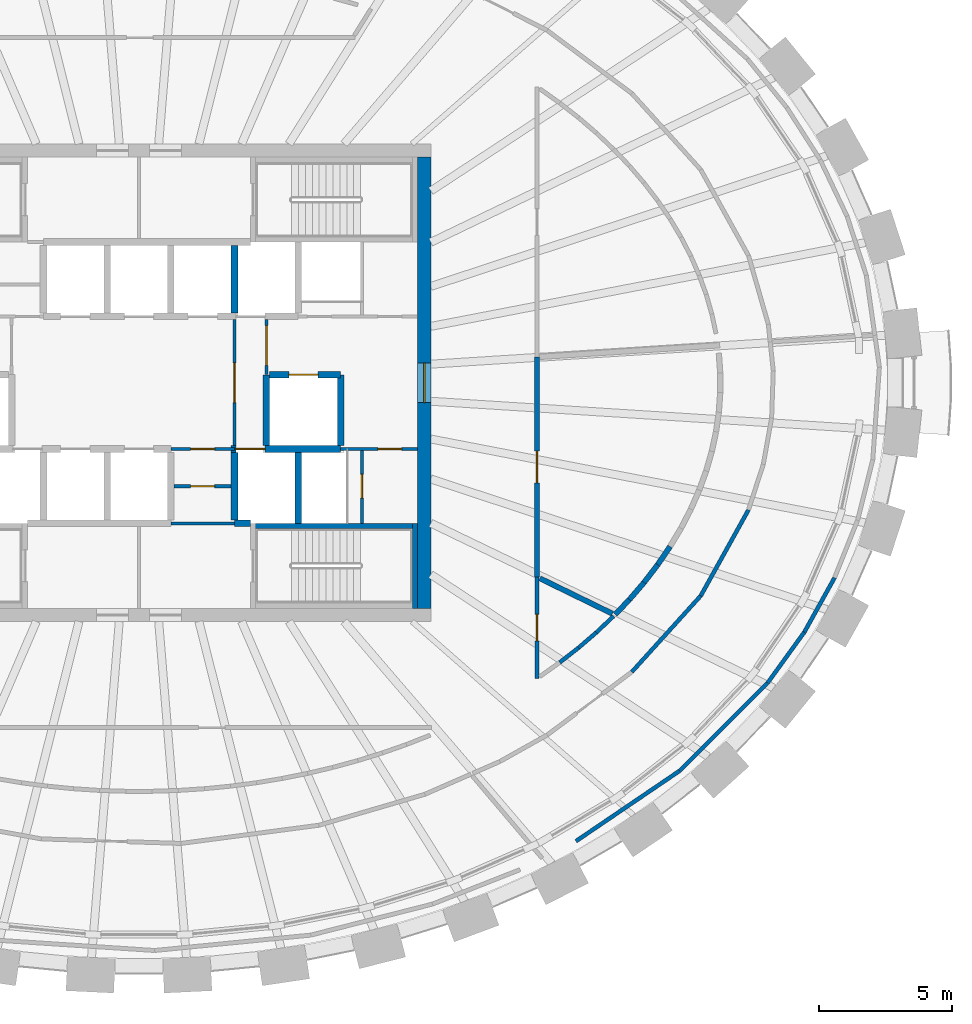
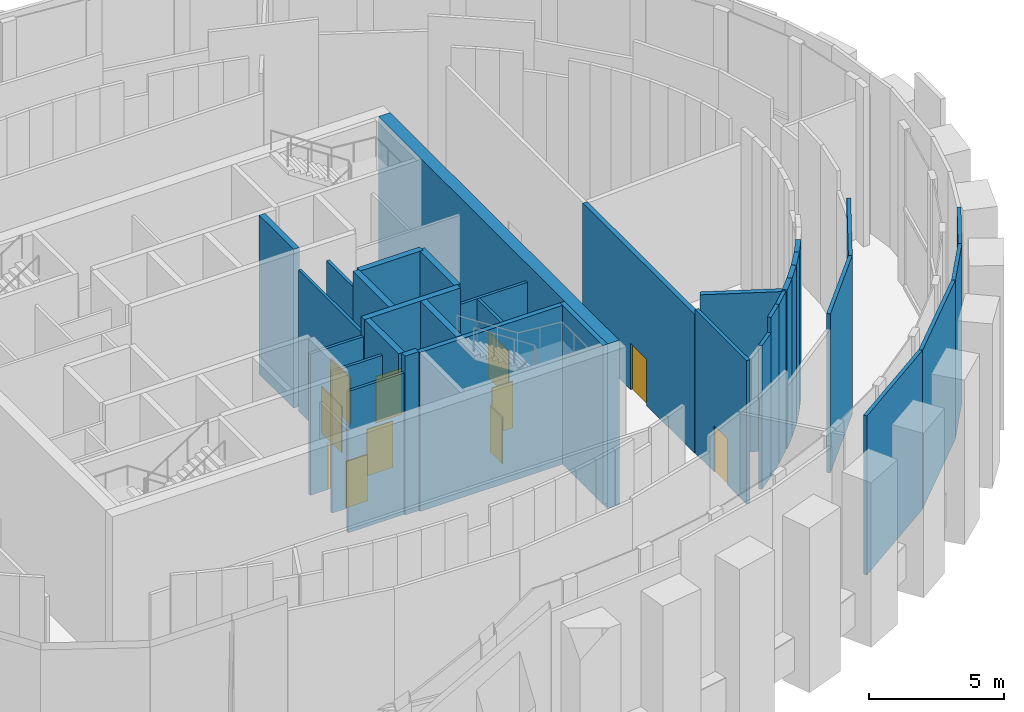
# One storey, part 11 of 16: 34 walls, 11 doors, 11 openings.
"""IFC4 building model written with IfcOpenShell, lengths in metres."""

import ifcopenshell
import ifcopenshell.guid

model = None  # the IFC model being written
_history = None  # IfcOwnerHistory: only IFC2X3 demands one
_inside = {}  # id of a spatial element -> (the spatial element, [elements in it])
_under = {}  # id of a project, library or spatial element -> (it, [spatial elements below it])
_declared = {}  # id of a project -> (the project, [libraries it declares])
_typed = {}  # id of a type object -> (the type object, [elements of that type])
_made_of = {}  # id of a material, layer set ... -> (it, [elements and type objects made of it])


def new_model(schema):
    """Start an empty IFC model of exactly this schema.

    Asked for "IFC4X3", IfcOpenShell would pick the latest addendum, in which some entities
    have other attributes; the version numbers below select the first issue.
    IFC2X3 requires an IfcOwnerHistory on every rooted entity: one is made here for all.
    """
    global model, _history
    if schema == "IFC4X3":
        model = ifcopenshell.file(schema_version=(4, 3, 0, 0))
    else:
        model = ifcopenshell.file(schema=schema)
    _inside.clear()
    _under.clear()
    _declared.clear()
    _typed.clear()
    _made_of.clear()
    _history = None
    if model.schema == "IFC2X3":
        org = make("IfcOrganization", Name="unknown")
        user = make(
            "IfcPersonAndOrganization",
            ThePerson=make("IfcPerson", FamilyName="unknown"),
            TheOrganization=org,
        )
        app = make(
            "IfcApplication",
            ApplicationDeveloper=org,
            Version="unknown",
            ApplicationFullName="unknown",
            ApplicationIdentifier="unknown",
        )
        _history = make(
            "IfcOwnerHistory",
            OwningUser=user,
            OwningApplication=app,
            ChangeAction="ADDED",
            CreationDate=0,
        )
    return model


def make(cls, **values):
    """One entity of the class cls with the attributes given. An attribute that is None is left unset."""
    return model.create_entity(
        cls, **{name: value for name, value in values.items() if value is not None}
    )


def rooted(cls, **values):
    """An entity with a GlobalId (a new one), such as an element, a storey or a relation."""
    return make(cls, GlobalId=ifcopenshell.guid.new(), OwnerHistory=_history, **values)


def si_unit(unit_type, name, prefix=None):
    """IfcSIUnit, for example si_unit("LENGTHUNIT", "METRE", prefix="MILLI")."""
    return make("IfcSIUnit", UnitType=unit_type, Prefix=prefix, Name=name)


def assignment(units):
    """IfcUnitAssignment: the units of a project."""
    return None if units is None else make("IfcUnitAssignment", Units=units)


def point(xyz):
    """IfcCartesianPoint."""
    return None if xyz is None else make("IfcCartesianPoint", Coordinates=xyz)


def direction(xyz):
    """IfcDirection."""
    return None if xyz is None else make("IfcDirection", DirectionRatios=xyz)


def frame(location, z_axis=None, x_axis=None):
    """IfcAxis2Placement3D, a coordinate frame: its origin and axes. An axis left out is left unset."""
    return make(
        "IfcAxis2Placement3D",
        Location=point(location),
        Axis=direction(z_axis),
        RefDirection=direction(x_axis),
    )


def frame_2d(location, x_axis=None):
    """IfcAxis2Placement2D, a coordinate frame in the plane: its origin and x axis."""
    return make(
        "IfcAxis2Placement2D", Location=point(location), RefDirection=direction(x_axis)
    )


def origin():
    """The frame at (0, 0, 0) with its axes left unset."""
    return frame((0.0, 0.0, 0.0))


def place(relative_to, where):
    """IfcLocalPlacement: puts the frame where relative to a parent placement (None: the world)."""
    return make(
        "IfcLocalPlacement", PlacementRelTo=relative_to, RelativePlacement=where
    )


def context(
    kind, dimensions, precision=None, world=None, true_north=None, identifier=None
):
    """IfcGeometricRepresentationContext, for example the 3D "Model" context."""
    return make(
        "IfcGeometricRepresentationContext",
        ContextIdentifier=identifier,
        ContextType=kind,
        CoordinateSpaceDimension=dimensions,
        Precision=precision,
        WorldCoordinateSystem=world,
        TrueNorth=true_north,
    )


def subcontext(parent, identifier, kind, view, scale=None):
    """IfcGeometricRepresentationSubContext, for example "Body" below "Model"."""
    return make(
        "IfcGeometricRepresentationSubContext",
        ContextIdentifier=identifier,
        ContextType=kind,
        ParentContext=parent,
        TargetScale=scale,
        TargetView=view,
    )


def project(units=None, contexts=None):
    """IfcProject with its units and contexts."""
    return rooted(
        "IfcProject",
        Name="project",
        RepresentationContexts=contexts,
        UnitsInContext=assignment(units),
    )


def spatial(cls, under=None, at=None, **own):
    """A site, building, storey or space (cls), placed at a placement, below another one or the project."""
    s = rooted(cls, ObjectPlacement=at, **own)
    if under is not None:
        _under.setdefault(under.id(), (under, []))[1].append(s)
    return s


def profile(cls, at=None, kind="AREA", **sizes):
    """A parametric profile (cls). Its sizes go by their IFC names, for example OverallWidth=200.0."""
    return make(cls, ProfileType=kind, Position=at, **sizes)


def rectangle(**sizes):
    """IfcRectangleProfileDef."""
    return profile("IfcRectangleProfileDef", **sizes)


def extrude(swept, where, along, depth):
    """IfcExtrudedAreaSolid: the profile swept, set in the frame where, extruded along a direction by depth."""
    return make(
        "IfcExtrudedAreaSolid",
        SweptArea=swept,
        Position=where,
        ExtrudedDirection=direction(along),
        Depth=depth,
    )


def shape(context_of_items, identifier, shape_type, items):
    """IfcShapeRepresentation: the items that make up one representation, for example the "Body"."""
    return make(
        "IfcShapeRepresentation",
        ContextOfItems=context_of_items,
        RepresentationIdentifier=identifier,
        RepresentationType=shape_type,
        Items=items,
    )


def source(mapping_origin, context_of_items, identifier, shape_type, items):
    """IfcRepresentationMap: a shape defined once, which mapped items show again and again."""
    return make(
        "IfcRepresentationMap",
        MappingOrigin=mapping_origin,
        MappedRepresentation=shape(context_of_items, identifier, shape_type, items),
    )


def transform(
    local_origin,
    x_axis=None,
    y_axis=None,
    z_axis=None,
    scale=None,
    scale2=None,
    scale3=None,
    uniform=True,
):
    """IfcCartesianTransformationOperator3D, or its non-uniform kind. x_axis, y_axis, z_axis: its Axis1, 2, 3."""
    if uniform:
        return make(
            "IfcCartesianTransformationOperator3D",
            Axis1=direction(x_axis),
            Axis2=direction(y_axis),
            LocalOrigin=point(local_origin),
            Scale=scale,
            Axis3=direction(z_axis),
        )
    return make(
        "IfcCartesianTransformationOperator3DnonUniform",
        Axis1=direction(x_axis),
        Axis2=direction(y_axis),
        LocalOrigin=point(local_origin),
        Scale=scale,
        Axis3=direction(z_axis),
        Scale2=scale2,
        Scale3=scale3,
    )


def mapped(mapping_source, mapping_target):
    """IfcMappedItem: shows the shape of a source again, moved by a transform."""
    return make(
        "IfcMappedItem", MappingSource=mapping_source, MappingTarget=mapping_target
    )


def material(Name=None, Category=None):
    """IfcMaterial."""
    return make("IfcMaterial", Name=Name, Category=Category)


def layer(
    of_material, thickness, ventilated=None, Name=None, Category=None, Priority=None
):
    """IfcMaterialLayer: one layer of a wall or slab, of a material (None: an air gap)."""
    return make(
        "IfcMaterialLayer",
        Material=of_material,
        LayerThickness=thickness,
        IsVentilated=ventilated,
        Name=Name,
        Category=Category,
        Priority=Priority,
    )


def layer_set(layers, Name=None):
    """IfcMaterialLayerSet."""
    return make("IfcMaterialLayerSet", MaterialLayers=layers, LayerSetName=Name)


def made_of(thing, what):
    """Note that an element or type object is made of a material, layer set ...; save() writes the relation."""
    if what is not None:
        _made_of.setdefault(what.id(), (what, []))[1].append(thing)
    return thing


def type_object(cls, material=None, **own):
    """A type object (cls), such as IfcWallType, which elements share."""
    return made_of(rooted(cls, **own), material)


def element(
    cls,
    number,
    at=None,
    inside=None,
    cuts=None,
    type_object=None,
    material=None,
    context=None,
    identifier="Body",
    shape_type=None,
    held_by="IfcProductDefinitionShape",
    body=None,
    shapes=None,
    **own,
):
    """One element of the class cls, such as IfcWall. Its Tag is "e" and its number.

    at: its placement. inside: the storey or other place that contains it. cuts: it is an
    opening in that element (IfcRelVoidsElement). A single representation is given by context,
    identifier, shape_type and body (its items); several are given by shapes. held_by: the class
    of the entity that holds the representations. save() writes the other relations.
    """
    e = rooted(cls, Tag="e%d" % number, ObjectPlacement=at, **own)
    if body is not None:
        shapes = [shape(context, identifier, shape_type, body)]
    if shapes is not None:
        e.Representation = make(held_by, Representations=shapes)
    if inside is not None:
        _inside.setdefault(inside.id(), (inside, []))[1].append(e)
    if cuts is not None:
        rooted(
            "IfcRelVoidsElement", RelatingBuildingElement=cuts, RelatedOpeningElement=e
        )
    if type_object is not None:
        _typed.setdefault(type_object.id(), (type_object, []))[1].append(e)
    return made_of(e, material)


def fill(opening, filler):
    """IfcRelFillsElement: the door or window that sits in an opening."""
    return rooted(
        "IfcRelFillsElement",
        RelatingOpeningElement=opening,
        RelatedBuildingElement=filler,
    )


def aggregate(whole, parts):
    """IfcRelAggregates: a whole, such as a stair, and the parts it consists of."""
    return rooted("IfcRelAggregates", RelatingObject=whole, RelatedObjects=parts)


def save(model, path):
    """Write the relations noted so far, then the file.

    IfcRelAggregates (storeys below a building ...), IfcRelContainedInSpatialStructure (elements
    in a storey), IfcRelDefinesByType, IfcRelAssociatesMaterial and IfcRelDeclares: one each for
    every whole, place, type object, material and project.
    """
    for whole, parts in _under.values():
        aggregate(whole, parts)
    for where, things in _inside.values():
        rooted(
            "IfcRelContainedInSpatialStructure",
            RelatedElements=things,
            RelatingStructure=where,
        )
    for kind, things in _typed.values():
        rooted("IfcRelDefinesByType", RelatedObjects=things, RelatingType=kind)
    for what, things in _made_of.values():
        rooted("IfcRelAssociatesMaterial", RelatedObjects=things, RelatingMaterial=what)
    for by, libraries in _declared.values():
        rooted("IfcRelDeclares", RelatingContext=by, RelatedDefinitions=libraries)
    model.write(path)


model = new_model("IFC4")

# Units and contexts
model_context = context("Model", 3, precision=1e-05, world=origin(), true_north=direction((0.0, 1.0)))
body_context = subcontext(model_context, "Body", "Model", "MODEL_VIEW")
ifc_project = project(units=[si_unit("LENGTHUNIT", "METRE"), si_unit("AREAUNIT", "SQUARE_METRE"), si_unit("VOLUMEUNIT", "CUBIC_METRE"), si_unit("PLANEANGLEUNIT", "RADIAN"), si_unit("MASSUNIT", "GRAM", prefix="KILO")], contexts=[model_context])

# Site, building, storey
site_placement = place(None, origin())
site = spatial("IfcSite", under=ifc_project, at=site_placement, CompositionType="ELEMENT")
building_placement = place(site_placement, origin())
building = spatial("IfcBuilding", under=site, at=building_placement, Name="Embergate Tower", CompositionType="ELEMENT")
storey_placement = place(building_placement, frame((0.0, 0.0, 332.5)))
storey = spatial("IfcBuildingStorey", under=building, at=storey_placement, Name="L78", CompositionType="ELEMENT", Elevation=332.5)

# Wall, opening, door
ifc_material_1 = material(Name="Concrete C50", Category="concrete")
ifc_layer_1 = layer(ifc_material_1, 0.5)
ifc_layer_set_1 = layer_set([ifc_layer_1], Name="Concrete C50")
wall_type_1 = type_object("IfcWallType", Name="Core outer wall C50 500", PredefinedType="SHEAR", material=ifc_layer_set_1)
shared_shape_1 = source(origin(), body_context, "Body", "SweptSolid", [
    extrude(rectangle(XDim=17.0, YDim=0.5, at=frame_2d((8.5, 0.0))), origin(), (0.0, 0.0, 1.0), 7.449951171875),
])
wall_1_placement = place(storey_placement, frame((10.75, -8.5, -0.25), z_axis=(0.0, 0.0, 1.0), x_axis=(0.0, 1.0, 0.0)))
wall_1 = element("IfcWall", 1, at=wall_1_placement, inside=storey, type_object=wall_type_1, Name="CW-L78-E", PredefinedType="SHEAR", context=body_context, shape_type="MappedRepresentation", body=[
    mapped(shared_shape_1, transform((0.0, 0.0, 0.0))),
])
shared_shape_2 = source(origin(), body_context, "Body", "SweptSolid", [
    extrude(rectangle(XDim=1.5, YDim=2.10009765625, at=frame_2d((0.75, 1.050048828125))), frame((0.0, 0.260009765625, 0.0), z_axis=(0.0, -1.0, 0.0), x_axis=(1.0, 0.0, 0.0)), (0.0, 0.0, 1.0), 0.52001953125),
])
opening_1_placement = place(wall_1_placement, frame((7.75, 0.0, 0.25)))
opening_1 = element("IfcOpeningElement", 2, at=opening_1_placement, cuts=wall_1, Name="Opening IF-3", PredefinedType="OPENING", context=body_context, shape_type="MappedRepresentation", body=[
    mapped(shared_shape_2, transform((0.0, 0.0, 0.0))),
])
ifc_material_2 = material(Name="Lobby fire door pair 1500")
door_type_1 = type_object("IfcDoorType", Name="Lobby fire door pair 1500", OperationType="DOUBLE_DOOR_SINGLE_SWING", PredefinedType="DOOR", material=ifc_material_2)
shared_shape_3 = source(origin(), body_context, "Body", "SweptSolid", [
    extrude(rectangle(XDim=1.5, YDim=2.10009765625, at=frame_2d((0.75, 1.050048828125))), frame((0.0, 0.02490234375, 0.0), z_axis=(0.0, -1.0, 0.0), x_axis=(1.0, 0.0, 0.0)), (0.0, 0.0, 1.0), 0.050048828125),
])
door_1_placement = place(opening_1_placement, origin())
door_1 = element("IfcDoor", 3, at=door_1_placement, inside=storey, type_object=door_type_1, Name="IF-3 door", OperationType="DOUBLE_DOOR_SINGLE_SWING", OverallHeight=2.10009765625, OverallWidth=1.5, PredefinedType="DOOR", context=body_context, shape_type="MappedRepresentation", body=[
    mapped(shared_shape_3, transform((0.0, 0.0, 0.0))),
])
fill(opening_1, door_1)

ifc_material_3 = material(Name="Core partition blockwork 120")
ifc_layer_2 = layer(ifc_material_3, 0.1201171875)
ifc_layer_set_2 = layer_set([ifc_layer_2], Name="Core partition blockwork 120")
wall_type_2 = type_object("IfcWallType", Name="Core partition blockwork 120", PredefinedType="PARTITIONING", material=ifc_layer_set_2)
shared_shape_4 = source(origin(), body_context, "Body", "SweptSolid", [
    extrude(rectangle(XDim=2.739990234375, YDim=0.1201171875, at=frame_2d((1.3701171875, 0.0))), origin(), (0.0, 0.0, 1.0), 6.39990234375),
])
wall_2_placement = place(storey_placement, frame((8.39990234375, -5.300048828125, 0.0), z_axis=(0.0, 0.0, 1.0), x_axis=(0.0, 1.0, 0.0)))
wall_2 = element("IfcWall", 4, at=wall_2_placement, inside=storey, type_object=wall_type_2, Name="IP-3 wall", PredefinedType="PARTITIONING", context=body_context, shape_type="MappedRepresentation", body=[
    mapped(shared_shape_4, transform((0.0, 0.0, 0.0))),
])
shared_shape_5 = source(origin(), body_context, "Body", "SweptSolid", [
    extrude(rectangle(XDim=0.89990234375, YDim=2.10009765625, at=frame_2d((0.449951171875, 1.050048828125))), frame((0.0, 0.070068359375, 0.0), z_axis=(0.0, -1.0, 0.0), x_axis=(1.0, 0.0, 0.0)), (0.0, 0.0, 1.0), 0.14013671875),
])
opening_2_placement = place(wall_2_placement, frame((0.949951171875, 0.0, 0.0)))
opening_2 = element("IfcOpeningElement", 5, at=opening_2_placement, cuts=wall_2, Name="Opening ID-1", PredefinedType="OPENING", context=body_context, shape_type="MappedRepresentation", body=[
    mapped(shared_shape_5, transform((0.0, 0.0, 0.0))),
])
ifc_material_4 = material(Name="Interior door 900")
door_type_2 = type_object("IfcDoorType", Name="Interior door 900", OperationType="SINGLE_SWING_LEFT", PredefinedType="DOOR", material=ifc_material_4)
shared_shape_6 = source(origin(), body_context, "Body", "SweptSolid", [
    extrude(rectangle(XDim=0.89990234375, YDim=2.10009765625, at=frame_2d((0.449951171875, 1.050048828125))), frame((0.0, 0.02490234375, 0.0), z_axis=(0.0, -1.0, 0.0), x_axis=(1.0, 0.0, 0.0)), (0.0, 0.0, 1.0), 0.050048828125),
])
door_2_placement = place(opening_2_placement, origin())
door_2 = element("IfcDoor", 6, at=door_2_placement, inside=storey, type_object=door_type_2, Name="ID-1 door", OperationType="SINGLE_SWING_LEFT", OverallHeight=2.10009765625, OverallWidth=0.89990234375, PredefinedType="DOOR", context=body_context, shape_type="MappedRepresentation", body=[
    mapped(shared_shape_6, transform((0.0, 0.0, 0.0))),
])
fill(opening_2, door_2)

# Walls
ifc_layer_3 = layer(ifc_material_1, 0.25)
ifc_layer_set_3 = layer_set([ifc_layer_3], Name="Concrete C50")
wall_type_3 = type_object("IfcWallType", Name="Hoistway wall reinforced concrete 250", PredefinedType="SHEAR", material=ifc_layer_set_3)
shared_shape_7 = source(origin(), body_context, "Body", "SweptSolid", [
    extrude(rectangle(XDim=2.550048828125, YDim=0.25, at=frame_2d((1.27490234375, 0.0))), origin(), (0.0, 0.0, 1.0), 7.199951171875),
])
for number, where, z_axis, x_axis, name in (
    (7, (3.60009765625, 2.625, 0.0), (0.0, 0.0, 1.0), (0.0, 1.0, 0.0), "HW-1 wall"),
    (8, (3.60009765625, -2.625, 0.0), (0.0, 0.0, 1.0), (0.0, -1.0, 0.0), "HW-1 wall"),
):
    element("IfcWall", number, at=place(storey_placement, frame(where, z_axis=z_axis, x_axis=x_axis)), inside=storey, type_object=wall_type_3, Name=name, PredefinedType="SHEAR", context=body_context, shape_type="MappedRepresentation", body=[
        mapped(shared_shape_7, transform((0.0, 0.0, 0.0))),
    ])
shared_shape_8 = source(origin(), body_context, "Body", "SweptSolid", [
    extrude(rectangle(XDim=2.675048828125, YDim=0.25, at=frame_2d((1.33740234375, 0.0))), origin(), (0.0, 0.0, 1.0), 7.199951171875),
])
for number, where, z_axis, x_axis, name in (
    (9, (6.0, -5.300048828125, 0.0), (0.0, 0.0, 1.0), (0.0, 1.0, 0.0), "HW-1 wall"),
    (10, (4.800048828125, -2.375, 0.0), (0.0, 0.0, 1.0), (0.0, 1.0, 0.0), "HW-1 wall"),
):
    element("IfcWall", number, at=place(storey_placement, frame(where, z_axis=z_axis, x_axis=x_axis)), inside=storey, type_object=wall_type_3, Name=name, PredefinedType="SHEAR", context=body_context, shape_type="MappedRepresentation", body=[
        mapped(shared_shape_8, transform((0.0, 0.0, 0.0))),
    ])

# Wall, opening, door
wall_3_placement = place(storey_placement, frame((7.60009765625, 0.300048828125, 0.0), z_axis=(0.0, 0.0, 1.0), x_axis=(-1.0, 0.0, 0.0)))
wall_3 = element("IfcWall", 11, at=wall_3_placement, inside=storey, type_object=wall_type_3, Name="HW-1 wall", PredefinedType="SHEAR", context=body_context, shape_type="MappedRepresentation", body=[
    mapped(shared_shape_8, transform((0.0, 0.0, 0.0))),
])
shared_shape_9 = source(origin(), body_context, "Body", "SweptSolid", [
    extrude(rectangle(XDim=1.10009765625, YDim=2.10009765625, at=frame_2d((0.550048828125, 1.050048828125))), frame((0.0, 0.135009765625, 0.0), z_axis=(0.0, -1.0, 0.0), x_axis=(1.0, 0.0, 0.0)), (0.0, 0.0, 1.0), 0.27001953125),
])
opening_3_placement = place(wall_3_placement, frame((0.85009765625, 0.0, 0.0)))
opening_3 = element("IfcOpeningElement", 12, at=opening_3_placement, cuts=wall_3, Name="Opening LD", PredefinedType="OPENING", context=body_context, shape_type="MappedRepresentation", body=[
    mapped(shared_shape_9, transform((0.0, 0.0, 0.0))),
])
ifc_material_5 = material(Name="Landing door sliding 1100")
door_type_3 = type_object("IfcDoorType", Name="Landing door sliding 1100", OperationType="SLIDING_TO_LEFT", PredefinedType="DOOR", material=ifc_material_5)
shared_shape_10 = source(origin(), body_context, "Body", "SweptSolid", [
    extrude(rectangle(XDim=1.10009765625, YDim=2.10009765625, at=frame_2d((0.550048828125, 1.050048828125))), frame((0.0, 0.02490234375, 0.0), z_axis=(0.0, -1.0, 0.0), x_axis=(1.0, 0.0, 0.0)), (0.0, 0.0, 1.0), 0.050048828125),
])
door_3_placement = place(opening_3_placement, origin())
door_3 = element("IfcDoor", 13, at=door_3_placement, inside=storey, type_object=door_type_3, Name="LD door", OperationType="SLIDING_TO_RIGHT", OverallHeight=2.10009765625, OverallWidth=1.10009765625, PredefinedType="DOOR", context=body_context, shape_type="MappedRepresentation", body=[
    mapped(shared_shape_10, transform((0.0, 0.0, 0.0))),
])
fill(opening_3, door_3)

# Walls
wall_4_placement = place(storey_placement, frame((7.60009765625, -2.375, 0.0), z_axis=(0.0, 0.0, 1.0), x_axis=(0.0, 1.0, 0.0)))
element("IfcWall", 14, at=wall_4_placement, inside=storey, type_object=wall_type_3, Name="HW-1 wall", PredefinedType="SHEAR", context=body_context, shape_type="MappedRepresentation", body=[
    mapped(shared_shape_8, transform((0.0, 0.0, 0.0))),
])
ifc_layer_4 = layer(ifc_material_1, 0.199951171875)
ifc_layer_set_4 = layer_set([ifc_layer_4], Name="Concrete C50")
wall_type_4 = type_object("IfcWallType", Name="Stair enclosure wall reinforced concrete 250", PredefinedType="SHEAR", material=ifc_layer_set_4)
shared_shape_11 = source(origin(), body_context, "Body", "SweptSolid", [
    extrude(rectangle(XDim=6.300048828125, YDim=0.199951171875, at=frame_2d((3.14990234375, 0.0))), origin(), (0.0, 0.0, 1.0), 7.199951171875),
])
wall_5_placement = place(storey_placement, frame((4.199951171875, -5.39990234375, 0.0), z_axis=(0.0, 0.0, 1.0), x_axis=(1.0, 0.0, 0.0)))
element("IfcWall", 15, at=wall_5_placement, inside=storey, type_object=wall_type_4, Name="SE-1 wall", PredefinedType="SHEAR", context=body_context, shape_type="MappedRepresentation", body=[
    mapped(shared_shape_11, transform((0.0, 0.0, 0.0))),
])

# Wall, opening, door
shared_shape_12 = source(origin(), body_context, "Body", "SweptSolid", [
    extrude(rectangle(XDim=2.89990234375, YDim=0.1201171875, at=frame_2d((1.449951171875, 0.0))), origin(), (0.0, 0.0, 1.0), 6.39990234375),
])
wall_6_placement = place(storey_placement, frame((10.5, -2.5, 0.0), z_axis=(0.0, 0.0, 1.0), x_axis=(-1.0, 0.0, 0.0)))
wall_6 = element("IfcWall", 16, at=wall_6_placement, inside=storey, type_object=wall_type_2, Name="IP-3 wall", PredefinedType="PARTITIONING", context=body_context, shape_type="MappedRepresentation", body=[
    mapped(shared_shape_12, transform((0.0, 0.0, 0.0))),
])
opening_4_placement = place(wall_6_placement, frame((0.60009765625, 0.0, 0.0)))
opening_4 = element("IfcOpeningElement", 17, at=opening_4_placement, cuts=wall_6, Name="Opening ID-1", PredefinedType="OPENING", context=body_context, shape_type="MappedRepresentation", body=[
    mapped(shared_shape_5, transform((0.0, 0.0, 0.0))),
])
door_4_placement = place(opening_4_placement, origin())
door_4 = element("IfcDoor", 18, at=door_4_placement, inside=storey, type_object=door_type_2, Name="ID-1 door", OperationType="SINGLE_SWING_RIGHT", OverallHeight=2.10009765625, OverallWidth=0.89990234375, PredefinedType="DOOR", context=body_context, shape_type="MappedRepresentation", body=[
    mapped(shared_shape_6, transform((0.0, 0.0, 0.0))),
])
fill(opening_4, door_4)

shared_shape_13 = source(origin(), body_context, "Body", "SweptSolid", [
    extrude(rectangle(XDim=4.125, YDim=0.25, at=frame_2d((2.0625, 0.0))), origin(), (0.0, 0.0, 1.0), 7.199951171875),
])
wall_7_placement = place(storey_placement, frame((7.60009765625, -2.5, 0.0), z_axis=(0.0, 0.0, 1.0), x_axis=(-1.0, 0.0, 0.0)))
wall_7 = element("IfcWall", 19, at=wall_7_placement, inside=storey, type_object=wall_type_3, Name="HW-1 wall", PredefinedType="SHEAR", context=body_context, shape_type="MappedRepresentation", body=[
    mapped(shared_shape_13, transform((0.0, 0.0, 0.0))),
])
opening_5_placement = place(wall_7_placement, frame((2.85009765625, 0.0, 0.0)))
opening_5 = element("IfcOpeningElement", 20, at=opening_5_placement, cuts=wall_7, Name="Opening LD", PredefinedType="OPENING", context=body_context, shape_type="MappedRepresentation", body=[
    mapped(shared_shape_9, transform((0.0, 0.0, 0.0))),
])
door_5_placement = place(opening_5_placement, origin())
door_5 = element("IfcDoor", 21, at=door_5_placement, inside=storey, type_object=door_type_3, Name="LD door", OperationType="SLIDING_TO_RIGHT", OverallHeight=2.10009765625, OverallWidth=1.10009765625, PredefinedType="DOOR", context=body_context, shape_type="MappedRepresentation", body=[
    mapped(shared_shape_10, transform((0.0, 0.0, 0.0))),
])
fill(opening_5, door_5)

# Wall
shared_shape_14 = source(origin(), body_context, "Body", "SweptSolid", [
    extrude(rectangle(XDim=0.599853515625, YDim=0.25, at=frame_2d((0.2998046875, 0.0))), origin(), (0.0, 0.0, 1.0), 7.199951171875),
])
wall_8_placement = place(storey_placement, frame((3.60009765625, -5.300048828125, 0.0), z_axis=(0.0, 0.0, 1.0), x_axis=(1.0, 0.0, 0.0)))
element("IfcWall", 22, at=wall_8_placement, inside=storey, type_object=wall_type_3, Name="HW-1 wall", PredefinedType="SHEAR", context=body_context, shape_type="MappedRepresentation", body=[
    mapped(shared_shape_14, transform((0.0, 0.0, 0.0))),
])

# Wall, opening, door
shared_shape_15 = source(origin(), body_context, "Body", "SweptSolid", [
    extrude(rectangle(XDim=4.75, YDim=0.1201171875, at=frame_2d((2.375, 0.0))), origin(), (0.0, 0.0, 1.0), 6.39990234375),
])
wall_9_placement = place(storey_placement, frame((3.60009765625, -2.375, 0.0), z_axis=(0.0, 0.0, 1.0), x_axis=(0.0, 1.0, 0.0)))
wall_9 = element("IfcWall", 23, at=wall_9_placement, inside=storey, type_object=wall_type_2, Name="IP-3 wall", PredefinedType="PARTITIONING", context=body_context, shape_type="MappedRepresentation", body=[
    mapped(shared_shape_15, transform((0.0, 0.0, 0.0))),
])
shared_shape_16 = source(origin(), body_context, "Body", "SweptSolid", [
    extrude(rectangle(XDim=1.5, YDim=2.10009765625, at=frame_2d((0.75, 1.050048828125))), frame((0.0, 0.070068359375, 0.0), z_axis=(0.0, -1.0, 0.0), x_axis=(1.0, 0.0, 0.0)), (0.0, 0.0, 1.0), 0.14013671875),
])
opening_6_placement = place(wall_9_placement, frame((1.625, 0.0, 0.0)))
opening_6 = element("IfcOpeningElement", 24, at=opening_6_placement, cuts=wall_9, Name="Opening IF-3", PredefinedType="OPENING", context=body_context, shape_type="MappedRepresentation", body=[
    mapped(shared_shape_16, transform((0.0, 0.0, 0.0))),
])
door_6_placement = place(opening_6_placement, origin())
door_6 = element("IfcDoor", 25, at=door_6_placement, inside=storey, type_object=door_type_1, Name="IF-3 door", OperationType="DOUBLE_DOOR_SINGLE_SWING", OverallHeight=2.10009765625, OverallWidth=1.5, PredefinedType="DOOR", context=body_context, shape_type="MappedRepresentation", body=[
    mapped(shared_shape_3, transform((0.0, 0.0, 0.0))),
])
fill(opening_6, door_6)

shared_shape_17 = source(origin(), body_context, "Body", "SweptSolid", [
    extrude(rectangle(XDim=2.400146484375, YDim=0.1201171875, at=frame_2d((1.2001953125, 0.0))), origin(), (0.0, 0.0, 1.0), 6.39990234375),
])
wall_10_placement = place(storey_placement, frame((1.199951171875, -2.5, 0.0), z_axis=(0.0, 0.0, 1.0), x_axis=(1.0, 0.0, 0.0)))
wall_10 = element("IfcWall", 26, at=wall_10_placement, inside=storey, type_object=wall_type_2, Name="IP-3 wall", PredefinedType="PARTITIONING", context=body_context, shape_type="MappedRepresentation", body=[
    mapped(shared_shape_17, transform((0.0, 0.0, 0.0))),
])
opening_7_placement = place(wall_10_placement, frame((0.75, 0.0, 0.0)))
opening_7 = element("IfcOpeningElement", 27, at=opening_7_placement, cuts=wall_10, Name="Opening ID-1", PredefinedType="OPENING", context=body_context, shape_type="MappedRepresentation", body=[
    mapped(shared_shape_5, transform((0.0, 0.0, 0.0))),
])
door_7_placement = place(opening_7_placement, origin())
door_7 = element("IfcDoor", 28, at=door_7_placement, inside=storey, type_object=door_type_2, Name="ID-1 door", OperationType="SINGLE_SWING_RIGHT", OverallHeight=2.10009765625, OverallWidth=0.89990234375, PredefinedType="DOOR", context=body_context, shape_type="MappedRepresentation", body=[
    mapped(shared_shape_6, transform((0.0, 0.0, 0.0))),
])
fill(opening_7, door_7)

# Wall
wall_11_placement = place(storey_placement, frame((3.60009765625, -5.300048828125, 0.0), z_axis=(0.0, 0.0, 1.0), x_axis=(-1.0, 0.0, 0.0)))
element("IfcWall", 29, at=wall_11_placement, inside=storey, type_object=wall_type_2, Name="IP-3 wall", PredefinedType="PARTITIONING", context=body_context, shape_type="MappedRepresentation", body=[
    mapped(shared_shape_17, transform((0.0, 0.0, 0.0))),
])

# Wall, opening, door
shared_shape_18 = source(origin(), body_context, "Body", "SweptSolid", [
    extrude(rectangle(XDim=2.074951171875, YDim=0.1201171875, at=frame_2d((1.03759765625, 0.0))), origin(), (0.0, 0.0, 1.0), 6.39990234375),
])
wall_12_placement = place(storey_placement, frame((4.800048828125, 0.300048828125, 0.0), z_axis=(0.0, 0.0, 1.0), x_axis=(0.0, 1.0, 0.0)))
wall_12 = element("IfcWall", 30, at=wall_12_placement, inside=storey, type_object=wall_type_2, Name="IP-3 wall", PredefinedType="PARTITIONING", context=body_context, shape_type="MappedRepresentation", body=[
    mapped(shared_shape_18, transform((0.0, 0.0, 0.0))),
])
opening_8_placement = place(wall_12_placement, frame((0.35009765625, 0.0, 0.0)))
opening_8 = element("IfcOpeningElement", 31, at=opening_8_placement, cuts=wall_12, Name="Opening IF-3", PredefinedType="OPENING", context=body_context, shape_type="MappedRepresentation", body=[
    mapped(shared_shape_16, transform((0.0, 0.0, 0.0))),
])
door_8_placement = place(opening_8_placement, origin())
door_8 = element("IfcDoor", 32, at=door_8_placement, inside=storey, type_object=door_type_1, Name="IF-3 door", OperationType="DOUBLE_DOOR_SINGLE_SWING", OverallHeight=2.10009765625, OverallWidth=1.5, PredefinedType="DOOR", context=body_context, shape_type="MappedRepresentation", body=[
    mapped(shared_shape_3, transform((0.0, 0.0, 0.0))),
])
fill(opening_8, door_8)

shared_shape_19 = source(origin(), body_context, "Body", "SweptSolid", [
    extrude(rectangle(XDim=2.150146484375, YDim=0.1201171875, at=frame_2d((1.0751953125, 0.0))), origin(), (0.0, 0.0, 1.0), 6.39990234375),
])
wall_13_placement = place(storey_placement, frame((3.47509765625, -3.89990234375, 0.0), z_axis=(0.0, 0.0, 1.0), x_axis=(-1.0, 0.0, 0.0)))
wall_13 = element("IfcWall", 33, at=wall_13_placement, inside=storey, type_object=wall_type_2, Name="IP-3 wall", PredefinedType="PARTITIONING", context=body_context, shape_type="MappedRepresentation", body=[
    mapped(shared_shape_19, transform((0.0, 0.0, 0.0))),
])
opening_9_placement = place(wall_13_placement, frame((0.625, 0.0, 0.0)))
opening_9 = element("IfcOpeningElement", 34, at=opening_9_placement, cuts=wall_13, Name="Opening ID-1", PredefinedType="OPENING", context=body_context, shape_type="MappedRepresentation", body=[
    mapped(shared_shape_5, transform((0.0, 0.0, 0.0))),
])
door_9_placement = place(opening_9_placement, origin())
door_9 = element("IfcDoor", 35, at=door_9_placement, inside=storey, type_object=door_type_2, Name="ID-1 door", OperationType="SINGLE_SWING_RIGHT", OverallHeight=2.10009765625, OverallWidth=0.89990234375, PredefinedType="DOOR", context=body_context, shape_type="MappedRepresentation", body=[
    mapped(shared_shape_6, transform((0.0, 0.0, 0.0))),
])
fill(opening_9, door_9)

# Walls
shared_shape_20 = source(origin(), body_context, "Body", "SweptSolid", [
    extrude(rectangle(XDim=3.197998046875, YDim=0.199951171875, at=frame_2d((1.59912109375, 0.0))), origin(), (0.0, 0.0, 1.0), 7.199951171875),
])
wall_14_placement = place(storey_placement, frame((10.39990234375, -8.5, 0.0), z_axis=(0.0, 0.0, 1.0), x_axis=(0.0, 1.0, 0.0)))
element("IfcWall", 36, at=wall_14_placement, inside=storey, type_object=wall_type_4, Name="SE-1 wall", PredefinedType="SHEAR", context=body_context, shape_type="MappedRepresentation", body=[
    mapped(shared_shape_20, transform((0.0, 0.0, 0.0))),
])
ifc_material_6 = material(Name="Plasterboard on steel stud", Category="steel")
ifc_layer_5 = layer(ifc_material_6, 0.14990234375)
ifc_layer_set_5 = layer_set([ifc_layer_5], Name="Plasterboard on steel stud")
wall_type_5 = type_object("IfcWallType", Name="Partition wall 150 board", PredefinedType="PARTITIONING", material=ifc_layer_set_5)
shared_shape_21 = source(origin(), body_context, "Body", "SweptSolid", [
    extrude(rectangle(XDim=2.343994140625, YDim=0.14990234375, at=frame_2d((1.171875, 0.0))), origin(), (0.0, 0.0, 1.0), 7.199951171875),
])
wall_15_placement = place(storey_placement, frame((26.2099609375, -7.35107421875, 0.0), z_axis=(0.0, 0.0, 1.0), x_axis=(-0.485863990691, -0.874034428698, 0.0)))
element("IfcWall", 37, at=wall_15_placement, inside=storey, type_object=wall_type_5, Name="Partition 208", PredefinedType="PARTITIONING", context=body_context, shape_type="MappedRepresentation", body=[
    mapped(shared_shape_21, transform((0.0, 0.0, 0.0))),
])
shared_shape_22 = source(origin(), body_context, "Body", "SweptSolid", [
    extrude(rectangle(XDim=2.365478515625, YDim=0.14990234375, at=frame_2d((1.1826171875, 0.0))), origin(), (0.0, 0.0, 1.0), 7.199951171875),
])
wall_16_placement = place(storey_placement, frame((25.071044921875, -9.39990234375, 0.0), z_axis=(0.0, 0.0, 1.0), x_axis=(-0.58590497925, -0.810379759921, 0.0)))
element("IfcWall", 38, at=wall_16_placement, inside=storey, type_object=wall_type_5, Name="Partition 206", PredefinedType="PARTITIONING", context=body_context, shape_type="MappedRepresentation", body=[
    mapped(shared_shape_22, transform((0.0, 0.0, 0.0))),
])
shared_shape_23 = source(origin(), body_context, "Body", "SweptSolid", [
    extrude(rectangle(XDim=4.688232421875, YDim=0.14990234375, at=frame_2d((2.34423828125, 0.0))), origin(), (0.0, 0.0, 1.0), 7.199951171875),
])
wall_17_placement = place(storey_placement, frame((23.68505859375, -11.31689453125, 0.0), z_axis=(0.0, 0.0, 1.0), x_axis=(-0.707757424676, -0.706455538456, 0.0)))
element("IfcWall", 39, at=wall_17_placement, inside=storey, type_object=wall_type_5, Name="Partition 200", PredefinedType="PARTITIONING", context=body_context, shape_type="MappedRepresentation", body=[
    mapped(shared_shape_23, transform((0.0, 0.0, 0.0))),
])
shared_shape_24 = source(origin(), body_context, "Body", "SweptSolid", [
    extrude(rectangle(XDim=4.715576171875, YDim=0.14990234375, at=frame_2d((2.35791015625, 0.0))), origin(), (0.0, 0.0, 1.0), 7.199951171875),
])
wall_18_placement = place(storey_placement, frame((20.366943359375, -14.62890625, 0.0), z_axis=(0.0, 0.0, 1.0), x_axis=(-0.827425943058, -0.561574846975, 0.0)))
element("IfcWall", 40, at=wall_18_placement, inside=storey, type_object=wall_type_5, Name="Partition 177", PredefinedType="PARTITIONING", context=body_context, shape_type="MappedRepresentation", body=[
    mapped(shared_shape_24, transform((0.0, 0.0, 0.0))),
])
shared_shape_25 = source(origin(), body_context, "Body", "SweptSolid", [
    extrude(rectangle(XDim=0.89208984375, YDim=0.14990234375, at=frame_2d((0.446044921875, 0.0))), origin(), (0.0, 0.0, 1.0), 7.199951171875),
])
wall_19_placement = place(storey_placement, frame((17.23388671875, -9.412109375, 0.0), z_axis=(0.0, 0.0, 1.0), x_axis=(0.726534873891, 0.687129592595, 0.0)))
element("IfcWall", 41, at=wall_19_placement, inside=storey, type_object=wall_type_5, Name="Partition 162", PredefinedType="PARTITIONING", context=body_context, shape_type="MappedRepresentation", body=[
    mapped(shared_shape_25, transform((0.0, 0.0, 0.0))),
])
shared_shape_26 = source(origin(), body_context, "Body", "SweptSolid", [
    extrude(rectangle(XDim=0.880615234375, YDim=0.14990234375, at=frame_2d((0.4404296875, 0.0))), origin(), (0.0, 0.0, 1.0), 7.199951171875),
])
wall_20_placement = place(storey_placement, frame((16.56591796875, -9.986083984375, 0.0), z_axis=(0.0, 0.0, 1.0), x_axis=(0.758453739474, 0.651726879205, 0.0)))
element("IfcWall", 42, at=wall_20_placement, inside=storey, type_object=wall_type_5, Name="Partition 160", PredefinedType="PARTITIONING", context=body_context, shape_type="MappedRepresentation", body=[
    mapped(shared_shape_26, transform((0.0, 0.0, 0.0))),
])

# Wall, opening, door
shared_shape_27 = source(origin(), body_context, "Body", "SweptSolid", [
    extrude(rectangle(XDim=3.822021484375, YDim=0.14990234375, at=frame_2d((1.9111328125, 0.0))), origin(), (0.0, 0.0, 1.0), 6.5),
])
wall_21_placement = place(storey_placement, frame((15.0, -7.319091796875, 0.0), z_axis=(0.0, 0.0, 1.0), x_axis=(0.0, -1.0, 0.0)))
wall_21 = element("IfcWall", 43, at=wall_21_placement, inside=storey, type_object=wall_type_5, Name="Partition 150", PredefinedType="PARTITIONING", context=body_context, shape_type="MappedRepresentation", body=[
    mapped(shared_shape_27, transform((0.0, 0.0, 0.0))),
])
shared_shape_28 = source(origin(), body_context, "Body", "SweptSolid", [
    extrude(rectangle(XDim=1.0, YDim=2.10009765625, at=frame_2d((0.5, 1.050048828125))), frame((0.0, 0.0849609375, 0.0), z_axis=(0.0, -1.0, 0.0), x_axis=(1.0, 0.0, 0.0)), (0.0, 0.0, 1.0), 0.169921875),
])
opening_10_placement = place(wall_21_placement, frame((1.410888671875, 0.0, 0.0)))
opening_10 = element("IfcOpeningElement", 44, at=opening_10_placement, cuts=wall_21, Name="Opening DS-271", PredefinedType="OPENING", context=body_context, shape_type="MappedRepresentation", body=[
    mapped(shared_shape_28, transform((0.0, 0.0, 0.0))),
])
ifc_material_7 = material(Name="Timber door leaf, steel frame", Category="steel")
door_type_4 = type_object("IfcDoorType", Name="Single door 1000x2100", OperationType="SINGLE_SWING_LEFT", PredefinedType="DOOR", material=ifc_material_7)
shared_shape_29 = source(origin(), body_context, "Body", "SweptSolid", [
    extrude(rectangle(XDim=1.0, YDim=2.10009765625, at=frame_2d((0.5, 1.050048828125))), frame((0.0, 0.02490234375, 0.0), z_axis=(0.0, -1.0, 0.0), x_axis=(1.0, 0.0, 0.0)), (0.0, 0.0, 1.0), 0.050048828125),
])
door_10_placement = place(opening_10_placement, origin())
door_10 = element("IfcDoor", 45, at=door_10_placement, inside=storey, type_object=door_type_4, Name="Door to Observatory office", OperationType="SINGLE_SWING_LEFT", OverallHeight=2.10009765625, OverallWidth=1.0, PredefinedType="DOOR", context=body_context, shape_type="MappedRepresentation", body=[
    mapped(shared_shape_29, transform((0.0, 0.0, 0.0))),
])
fill(opening_10, door_10)

# Wall
ifc_material_8 = material(Name="Blockwork, plastered", Category="masonry")
ifc_layer_6 = layer(ifc_material_8, 0.199951171875)
ifc_layer_set_6 = layer_set([ifc_layer_6], Name="Blockwork, plastered")
wall_type_6 = type_object("IfcWallType", Name="Fire partition wall 200 block", PredefinedType="PARTITIONING", material=ifc_layer_set_6)
shared_shape_30 = source(origin(), body_context, "Body", "SweptSolid", [
    extrude(rectangle(XDim=3.03955078125, YDim=0.199951171875, at=frame_2d((1.519775390625, 0.0))), origin(), (0.0, 0.0, 1.0), 7.199951171875),
])
wall_22_placement = place(storey_placement, frame((15.10791015625, -7.3720703125, 0.0), z_axis=(0.0, 0.0, 1.0), x_axis=(0.89886414468, -0.438227394636, 0.0)))
element("IfcWall", 46, at=wall_22_placement, inside=storey, type_object=wall_type_6, Name="Partition 151", PredefinedType="PARTITIONING", context=body_context, shape_type="MappedRepresentation", body=[
    mapped(shared_shape_30, transform((0.0, 0.0, 0.0))),
])

# Wall, opening, door
shared_shape_31 = source(origin(), body_context, "Body", "SweptSolid", [
    extrude(rectangle(XDim=8.2861328125, YDim=0.199951171875, at=frame_2d((4.14306640625, 0.0))), origin(), (0.0, 0.0, 1.0), 6.300048828125),
])
wall_23_placement = place(storey_placement, frame((15.0, 0.967041015625, 0.0), z_axis=(0.0, 0.0, 1.0), x_axis=(0.0, -1.0, 0.0)))
wall_23 = element("IfcWall", 47, at=wall_23_placement, inside=storey, type_object=wall_type_6, Name="Partition 152", PredefinedType="PARTITIONING", context=body_context, shape_type="MappedRepresentation", body=[
    mapped(shared_shape_31, transform((0.0, 0.0, 0.0))),
])
shared_shape_32 = source(origin(), body_context, "Body", "SweptSolid", [
    extrude(rectangle(XDim=1.199951171875, YDim=2.10009765625, at=frame_2d((0.60009765625, 1.050048828125))), frame((0.0, 0.10986328125, 0.0), z_axis=(0.0, -1.0, 0.0), x_axis=(1.0, 0.0, 0.0)), (0.0, 0.0, 1.0), 0.219970703125),
])
opening_11_placement = place(wall_23_placement, frame((3.54296875, 0.0, 0.0)))
opening_11 = element("IfcOpeningElement", 48, at=opening_11_placement, cuts=wall_23, Name="Opening DS-272", PredefinedType="OPENING", context=body_context, shape_type="MappedRepresentation", body=[
    mapped(shared_shape_32, transform((0.0, 0.0, 0.0))),
])
door_type_5 = type_object("IfcDoorType", Name="Plant door 1200x2100", OperationType="SINGLE_SWING_LEFT", PredefinedType="DOOR", material=ifc_material_7)
shared_shape_33 = source(origin(), body_context, "Body", "SweptSolid", [
    extrude(rectangle(XDim=1.199951171875, YDim=2.10009765625, at=frame_2d((0.60009765625, 1.050048828125))), frame((0.0, 0.02490234375, 0.0), z_axis=(0.0, -1.0, 0.0), x_axis=(1.0, 0.0, 0.0)), (0.0, 0.0, 1.0), 0.050048828125),
])
door_11_placement = place(opening_11_placement, origin())
door_11 = element("IfcDoor", 49, at=door_11_placement, inside=storey, type_object=door_type_5, Name="Door to Observation plant room", OperationType="SINGLE_SWING_LEFT", OverallHeight=2.10009765625, OverallWidth=1.199951171875, PredefinedType="DOOR", context=body_context, shape_type="MappedRepresentation", body=[
    mapped(shared_shape_33, transform((0.0, 0.0, 0.0))),
])
fill(opening_11, door_11)

# Walls
shared_shape_34 = source(origin(), body_context, "Body", "SweptSolid", [
    extrude(rectangle(XDim=0.90185546875, YDim=0.14990234375, at=frame_2d((0.450927734375, 0.0))), origin(), (0.0, 0.0, 1.0), 6.5),
])
wall_24_placement = place(storey_placement, frame((15.85498046875, -10.541015625, 0.0), z_axis=(0.0, 0.0, 1.0), x_axis=(0.788286961013, 0.615307782412, 0.0)))
element("IfcWall", 50, at=wall_24_placement, inside=storey, type_object=wall_type_5, Name="Partition 158", PredefinedType="PARTITIONING", context=body_context, shape_type="MappedRepresentation", body=[
    mapped(shared_shape_34, transform((0.0, 0.0, 0.0))),
])
shared_shape_35 = source(origin(), body_context, "Body", "SweptSolid", [
    extrude(rectangle(XDim=0.7763671875, YDim=0.199951171875, at=frame_2d((0.38818359375, 0.0))), origin(), (0.0, 0.0, 1.0), 7.199951171875),
])
wall_25_placement = place(storey_placement, frame((17.944091796875, -8.73388671875, 0.0), z_axis=(0.0, 0.0, 1.0), x_axis=(0.690243859309, 0.723576820169, 0.0)))
element("IfcWall", 51, at=wall_25_placement, inside=storey, type_object=wall_type_6, Name="Partition 165", PredefinedType="PARTITIONING", context=body_context, shape_type="MappedRepresentation", body=[
    mapped(shared_shape_35, transform((0.0, 0.0, 0.0))),
])
shared_shape_36 = source(origin(), body_context, "Body", "SweptSolid", [
    extrude(rectangle(XDim=0.843994140625, YDim=0.199951171875, at=frame_2d((0.421875, 0.0))), origin(), (0.0, 0.0, 1.0), 7.199951171875),
])
wall_26_placement = place(storey_placement, frame((18.47998046875, -8.172119140625, 0.0), z_axis=(0.0, 0.0, 1.0), x_axis=(0.651719945769, 0.758459697207, 0.0)))
element("IfcWall", 52, at=wall_26_placement, inside=storey, type_object=wall_type_6, Name="Partition 166", PredefinedType="PARTITIONING", context=body_context, shape_type="MappedRepresentation", body=[
    mapped(shared_shape_36, transform((0.0, 0.0, 0.0))),
])
shared_shape_37 = source(origin(), body_context, "Body", "SweptSolid", [
    extrude(rectangle(XDim=0.851806640625, YDim=0.199951171875, at=frame_2d((0.42578125, 0.0))), origin(), (0.0, 0.0, 1.0), 7.199951171875),
])
wall_27_placement = place(storey_placement, frame((19.030029296875, -7.531982421875, 0.0), z_axis=(0.0, 0.0, 1.0), x_axis=(0.608269049701, 0.793730913582, 0.0)))
element("IfcWall", 53, at=wall_27_placement, inside=storey, type_object=wall_type_6, Name="Partition 170", PredefinedType="PARTITIONING", context=body_context, shape_type="MappedRepresentation", body=[
    mapped(shared_shape_37, transform((0.0, 0.0, 0.0))),
])
shared_shape_38 = source(origin(), body_context, "Body", "SweptSolid", [
    extrude(rectangle(XDim=0.826171875, YDim=0.199951171875, at=frame_2d((0.4130859375, 0.0))), origin(), (0.0, 0.0, 1.0), 7.199951171875),
])
wall_28_placement = place(storey_placement, frame((19.548095703125, -6.85595703125, 0.0), z_axis=(0.0, 0.0, 1.0), x_axis=(0.562722230429, 0.826646049637, 0.0)))
element("IfcWall", 54, at=wall_28_placement, inside=storey, type_object=wall_type_6, Name="Partition 173", PredefinedType="PARTITIONING", context=body_context, shape_type="MappedRepresentation", body=[
    mapped(shared_shape_38, transform((0.0, 0.0, 0.0))),
])
shared_shape_39 = source(origin(), body_context, "Body", "SweptSolid", [
    extrude(rectangle(XDim=3.869873046875, YDim=0.14990234375, at=frame_2d((1.93505859375, 0.0))), origin(), (0.0, 0.0, 1.0), 7.199951171875),
])
wall_29_placement = place(storey_placement, frame((21.1689453125, -8.028076171875, 0.0), z_axis=(0.0, 0.0, 1.0), x_axis=(-0.67082741747, -0.741613495003, 0.0)))
element("IfcWall", 55, at=wall_29_placement, inside=storey, type_object=wall_type_5, Name="Partition 184", PredefinedType="PARTITIONING", context=body_context, shape_type="MappedRepresentation", body=[
    mapped(shared_shape_39, transform((0.0, 0.0, 0.0))),
])
shared_shape_40 = source(origin(), body_context, "Body", "SweptSolid", [
    extrude(rectangle(XDim=3.704345703125, YDim=0.14990234375, at=frame_2d((1.85205078125, 0.0))), origin(), (0.0, 0.0, 1.0), 7.199951171875),
])
wall_30_placement = place(storey_placement, frame((22.968017578125, -4.7900390625, 0.0), z_axis=(0.0, 0.0, 1.0), x_axis=(-0.485676506625, -0.874138622252, 0.0)))
element("IfcWall", 56, at=wall_30_placement, inside=storey, type_object=wall_type_5, Name="Partition 197", PredefinedType="PARTITIONING", context=body_context, shape_type="MappedRepresentation", body=[
    mapped(shared_shape_40, transform((0.0, 0.0, 0.0))),
])

save(model, "model.ifc")
